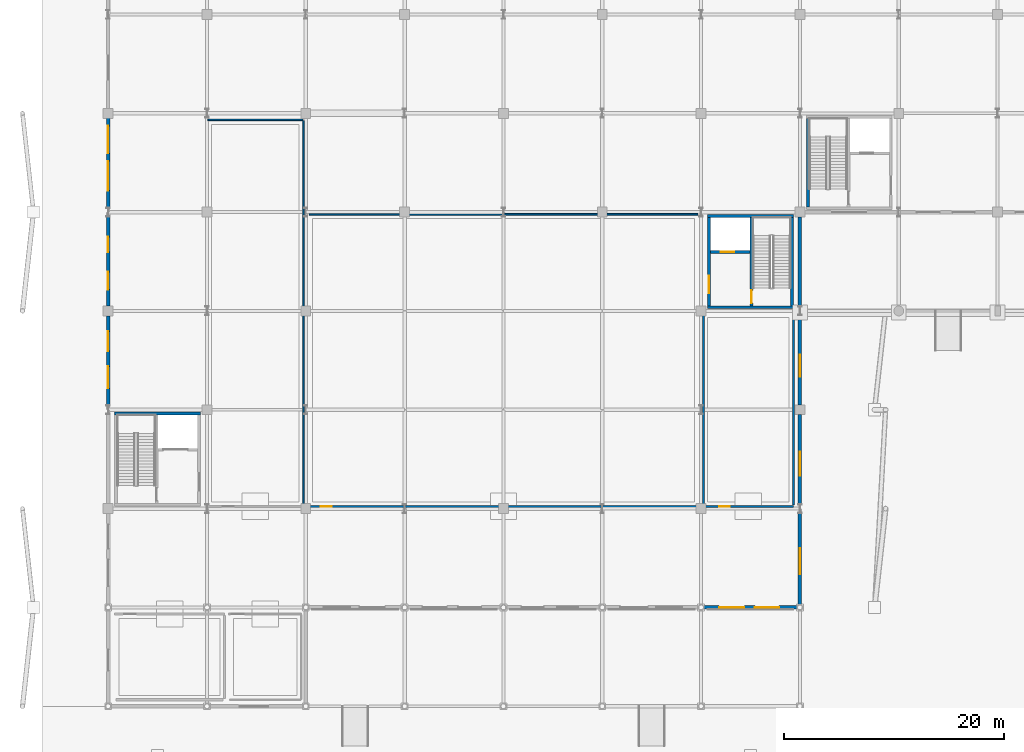
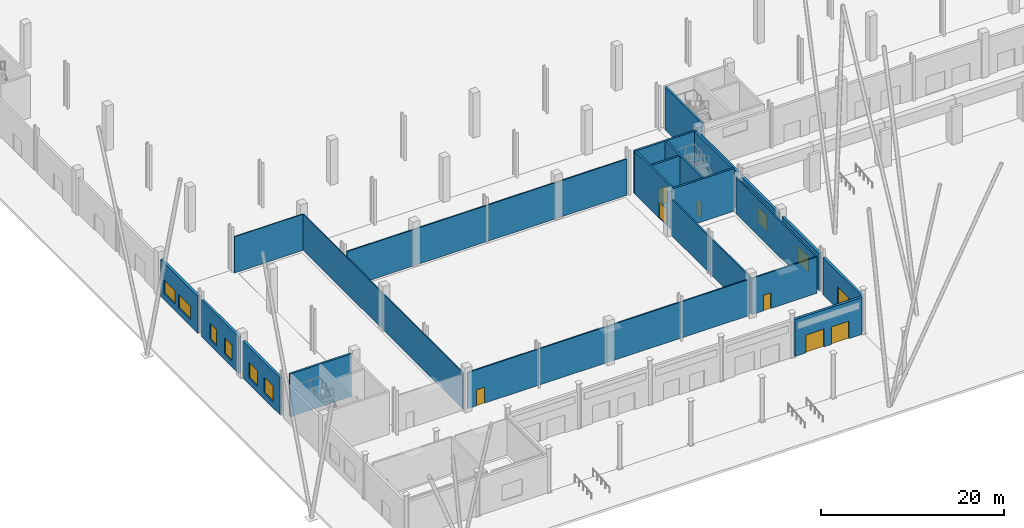
# One storey, part 30 of 58: 23 walls, 9 windows, 7 doors, 16 openings.
"""IFC4 building model written with IfcOpenShell, lengths in metres."""

from ifc_helpers import new_model, si_unit, direction, frame, frame_2d, origin, place, context, subcontext, project, spatial, rectangle, extrude, material, layer, layer_set, type_object, element, fill, save


model = new_model("IFC4")

# Units and contexts
model_context = context("Model", 3, precision=1e-05, world=origin(), true_north=direction((0.0, 1.0)))
body_context = subcontext(model_context, "Body", "Model", "MODEL_VIEW")
ifc_project = project(units=[si_unit("LENGTHUNIT", "METRE"), si_unit("AREAUNIT", "SQUARE_METRE"), si_unit("VOLUMEUNIT", "CUBIC_METRE"), si_unit("PLANEANGLEUNIT", "RADIAN"), si_unit("MASSUNIT", "GRAM", prefix="KILO")], contexts=[model_context])

# Site, building, storey
site_placement = place(None, origin())
site = spatial("IfcSite", under=ifc_project, at=site_placement, CompositionType="ELEMENT")
building_placement = place(site_placement, origin())
building = spatial("IfcBuilding", under=site, at=building_placement, Name="Barlavento Convention Centre", CompositionType="ELEMENT")
storey_placement = place(building_placement, origin())
storey = spatial("IfcBuildingStorey", under=building, at=storey_placement, Name="L00", CompositionType="ELEMENT", Elevation=0.0)

# Wall, opening, door
ifc_material_1 = material(Name="Acoustic double stud and gypsum board")
ifc_layer_1 = layer(ifc_material_1, 0.18505859375)
ifc_layer_set_1 = layer_set([ifc_layer_1], Name="ARC-WL-ACOU-185")
wall_type_1 = type_object("IfcWallType", Name="ARC-WL-ACOU-185", PredefinedType="PARTITIONING", material=ifc_layer_set_1)
wall_1_placement = place(storey_placement, frame((54.199951171875, 18.199951171875, 0.0), z_axis=(0.0, 0.0, 1.0), x_axis=(1.0, 0.0, 0.0)))
wall_1 = element("IfcWall", 1, at=wall_1_placement, inside=storey, type_object=wall_type_1, Name="L00 interior wall PT-01", PredefinedType="PARTITIONING", context=body_context, shape_type="SweptSolid", body=[
    extrude(rectangle(XDim=8.199951171875, YDim=0.18505859375, at=frame_2d((4.10009765625, 0.0))), origin(), (0.0, 0.0, 1.0), 4.85009765625),
])
opening_1_placement = place(wall_1_placement, frame((1.449951171875, 0.0, 0.0)))
opening_1 = element("IfcOpeningElement", 2, at=opening_1_placement, cuts=wall_1, Name="Opening ID-09", PredefinedType="OPENING", context=body_context, shape_type="SweptSolid", body=[
    extrude(rectangle(XDim=0.93994140625, YDim=2.10009765625, at=frame_2d((0.469970703125, 1.050048828125))), frame((0.0, 0.1025390625, 0.0), z_axis=(0.0, -1.0, 0.0), x_axis=(1.0, 0.0, 0.0)), (0.0, 0.0, 1.0), 0.205078125),
])
ifc_material_2 = material(Name="Timber veneer acoustic core", Category="wood")
door_type_1 = type_object("IfcDoorType", Name="ARC-DR-ROOM-940X2100", OperationType="NOTDEFINED", PredefinedType="DOOR", material=ifc_material_2)
door_1_placement = place(opening_1_placement, origin())
door_1 = element("IfcDoor", 3, at=door_1_placement, inside=storey, type_object=door_type_1, Name="DR-INT-L00-0215 L00 interior door ID-09", OperationType="SINGLE_SWING_RIGHT", OverallHeight=2.10009765625, OverallWidth=0.93994140625, PredefinedType="DOOR", context=body_context, shape_type="SweptSolid", body=[
    extrude(rectangle(XDim=0.93994140625, YDim=2.10009765625, at=frame_2d((0.469970703125, 1.050048828125))), frame((0.0, 0.02490234375, 0.0), z_axis=(0.0, -1.0, 0.0), x_axis=(1.0, 0.0, 0.0)), (0.0, 0.0, 1.0), 0.050048828125),
])
fill(opening_1, door_1)

# Walls
for number, where, z_axis, x_axis, name in (
    (4, (54.199951171875, 18.31103515625, 0.0), (0.0, 0.0, 1.0), (0.0, 1.0, 0.0), "L00 interior wall PT-01"),
    (5, (62.39990234375, 18.31103515625, 0.0), (0.0, 0.0, 1.0), (0.0, 1.0, 0.0), "L00 interior wall PT-01"),
):
    element("IfcWall", number, at=place(storey_placement, frame(where, z_axis=z_axis, x_axis=x_axis)), inside=storey, type_object=wall_type_1, Name=name, PredefinedType="PARTITIONING", context=body_context, shape_type="SweptSolid", body=[
        extrude(rectangle(XDim=17.3779296875, YDim=0.18505859375, at=frame_2d((8.68896484375, 0.0))), origin(), (0.0, 0.0, 1.0), 4.85009765625),
    ])

# Wall, openings, doors
ifc_material_3 = material(Name="Macau dark grey granite cladding on Concrete C40/50", Category="masonry")
ifc_layer_2 = layer(ifc_material_3, 0.320068359375)
ifc_layer_set_2 = layer_set([ifc_layer_2], Name="ARC-WL-EXT-320")
wall_type_2 = type_object("IfcWallType", Name="ARC-WL-EXT-320", PredefinedType="SOLIDWALL", material=ifc_layer_set_2)
wall_2_placement = place(storey_placement, frame((54.2490234375, 9.0, 0.0), z_axis=(0.0, 0.0, 1.0), x_axis=(1.0, 0.0, 0.0)))
wall_2 = element("IfcWall", 6, at=wall_2_placement, inside=storey, type_object=wall_type_2, Name="L00 exterior wall EW01", PredefinedType="SOLIDWALL", context=body_context, shape_type="SweptSolid", body=[
    extrude(rectangle(XDim=8.501953125, YDim=0.320068359375, at=frame_2d((4.2509765625, 0.0))), origin(), (0.0, 0.0, 1.0), 4.949951171875),
])
opening_2_placement = place(wall_2_placement, frame((1.40087890625, 0.0, 0.0)))
opening_2 = element("IfcOpeningElement", 7, at=opening_2_placement, cuts=wall_2, Name="Opening EX-09", PredefinedType="OPENING", context=body_context, shape_type="SweptSolid", body=[
    extrude(rectangle(XDim=2.300048828125, YDim=2.39990234375, at=frame_2d((1.14990234375, 1.199951171875))), frame((0.0, 0.169921875, 0.0), z_axis=(0.0, -1.0, 0.0), x_axis=(1.0, 0.0, 0.0)), (0.0, 0.0, 1.0), 0.340087890625),
])
opening_3_placement = place(wall_2_placement, frame((4.65087890625, 0.0, 0.0)))
opening_3 = element("IfcOpeningElement", 8, at=opening_3_placement, cuts=wall_2, Name="Opening EX-10", PredefinedType="OPENING", context=body_context, shape_type="SweptSolid", body=[
    extrude(rectangle(XDim=2.199951171875, YDim=2.35009765625, at=frame_2d((1.10009765625, 1.175048828125))), frame((0.0, 0.169921875, 0.0), z_axis=(0.0, -1.0, 0.0), x_axis=(1.0, 0.0, 0.0)), (0.0, 0.0, 1.0), 0.340087890625),
])
ifc_material_4 = material(Name="Anodized aluminium and tempered glass", Category="aluminium")
door_type_2 = type_object("IfcDoorType", Name="ARC-DR-EXIT-2200X2350", OperationType="DOUBLE_DOOR_SINGLE_SWING", PredefinedType="DOOR", material=ifc_material_4)
door_2_placement = place(opening_3_placement, origin())
door_2 = element("IfcDoor", 9, at=door_2_placement, inside=storey, type_object=door_type_2, Name="DR-EXT-L00-0010 Main entrance exit door EX-10", OperationType="DOUBLE_DOOR_SINGLE_SWING", OverallHeight=2.35009765625, OverallWidth=2.199951171875, PredefinedType="DOOR", context=body_context, shape_type="SweptSolid", body=[
    extrude(rectangle(XDim=2.199951171875, YDim=2.35009765625, at=frame_2d((1.10009765625, 1.175048828125))), frame((0.0, 0.02490234375, 0.0), z_axis=(0.0, -1.0, 0.0), x_axis=(1.0, 0.0, 0.0)), (0.0, 0.0, 1.0), 0.050048828125),
])
fill(opening_3, door_2)
door_type_3 = type_object("IfcDoorType", Name="ARC-DR-EXIT-2300X2400", OperationType="DOUBLE_DOOR_SINGLE_SWING", PredefinedType="DOOR", material=ifc_material_4)
door_3_placement = place(opening_2_placement, origin())
door_3 = element("IfcDoor", 10, at=door_3_placement, inside=storey, type_object=door_type_3, Name="DR-EXT-L00-0009 Main entrance exit door EX-09", OperationType="DOUBLE_DOOR_SINGLE_SWING", OverallHeight=2.39990234375, OverallWidth=2.300048828125, PredefinedType="DOOR", context=body_context, shape_type="SweptSolid", body=[
    extrude(rectangle(XDim=2.300048828125, YDim=2.39990234375, at=frame_2d((1.14990234375, 1.199951171875))), frame((0.0, 0.02490234375, 0.0), z_axis=(0.0, -1.0, 0.0), x_axis=(1.0, 0.0, 0.0)), (0.0, 0.0, 1.0), 0.050048828125),
])
fill(opening_2, door_3)

# Wall, opening, window
wall_3_placement = place(storey_placement, frame((63.0, 9.2490234375, 0.0), z_axis=(0.0, 0.0, 1.0), x_axis=(0.0, 1.0, 0.0)))
wall_3 = element("IfcWall", 11, at=wall_3_placement, inside=storey, type_object=wall_type_2, Name="L00 exterior wall EW01", PredefinedType="SOLIDWALL", context=body_context, shape_type="SweptSolid", body=[
    extrude(rectangle(XDim=8.348876953125, YDim=0.320068359375, at=frame_2d((4.17431640625, 0.0))), origin(), (0.0, 0.0, 1.0), 4.949951171875),
])
opening_4_placement = place(wall_3_placement, frame((2.7509765625, 0.0, 0.85009765625)))
opening_4 = element("IfcOpeningElement", 12, at=opening_4_placement, cuts=wall_3, Name="Opening WN03", PredefinedType="OPENING", context=body_context, shape_type="SweptSolid", body=[
    extrude(rectangle(XDim=2.39990234375, YDim=2.10009765625, at=frame_2d((1.199951171875, 1.050048828125))), frame((0.0, 0.169921875, 0.0), z_axis=(0.0, -1.0, 0.0), x_axis=(1.0, 0.0, 0.0)), (0.0, 0.0, 1.0), 0.340087890625),
])
ifc_material_5 = material(Name="Double-silver Low-E insulated glass", Category="glass")
window_type_1 = type_object("IfcWindowType", Name="ARC-WN-VIS-2400X2100", PartitioningType="DOUBLE_PANEL_VERTICAL", PredefinedType="WINDOW", material=ifc_material_5)
window_1_placement = place(opening_4_placement, origin())
window_1 = element("IfcWindow", 13, at=window_1_placement, inside=storey, type_object=window_type_1, Name="L00 exterior Low-E window WN03", OverallHeight=2.10009765625, OverallWidth=2.39990234375, PartitioningType="SINGLE_PANEL", PredefinedType="WINDOW", context=body_context, shape_type="SweptSolid", body=[
    extrude(rectangle(XDim=2.39990234375, YDim=2.10009765625, at=frame_2d((1.199951171875, 1.050048828125))), frame((0.0, 0.030029296875, 0.0), z_axis=(0.0, -1.0, 0.0), x_axis=(1.0, 0.0, 0.0)), (0.0, 0.0, 1.0), 0.06005859375),
])
fill(opening_4, window_1)

wall_4_placement = place(storey_placement, frame((63.0, 18.402099609375, 0.0), z_axis=(0.0, 0.0, 1.0), x_axis=(0.0, 1.0, 0.0)))
wall_4 = element("IfcWall", 14, at=wall_4_placement, inside=storey, type_object=wall_type_2, Name="L00 exterior wall EW01", PredefinedType="SOLIDWALL", context=body_context, shape_type="SweptSolid", body=[
    extrude(rectangle(XDim=8.15283203125, YDim=0.320068359375, at=frame_2d((4.076416015625, 0.0))), origin(), (0.0, 0.0, 1.0), 4.949951171875),
])
opening_5_placement = place(wall_4_placement, frame((2.597900390625, 0.0, 0.85009765625)))
opening_5 = element("IfcOpeningElement", 15, at=opening_5_placement, cuts=wall_4, Name="Opening WN04", PredefinedType="OPENING", context=body_context, shape_type="SweptSolid", body=[
    extrude(rectangle(XDim=2.199951171875, YDim=2.10009765625, at=frame_2d((1.10009765625, 1.050048828125))), frame((0.0, 0.169921875, 0.0), z_axis=(0.0, -1.0, 0.0), x_axis=(1.0, 0.0, 0.0)), (0.0, 0.0, 1.0), 0.340087890625),
])
window_type_2 = type_object("IfcWindowType", Name="ARC-WN-VIS-2200X2100", PartitioningType="DOUBLE_PANEL_VERTICAL", PredefinedType="WINDOW", material=ifc_material_5)
window_2_placement = place(opening_5_placement, origin())
window_2 = element("IfcWindow", 16, at=window_2_placement, inside=storey, type_object=window_type_2, Name="L00 exterior Low-E window WN04", OverallHeight=2.10009765625, OverallWidth=2.199951171875, PartitioningType="SINGLE_PANEL", PredefinedType="WINDOW", context=body_context, shape_type="SweptSolid", body=[
    extrude(rectangle(XDim=2.199951171875, YDim=2.10009765625, at=frame_2d((1.10009765625, 1.050048828125))), frame((0.0, 0.030029296875, 0.0), z_axis=(0.0, -1.0, 0.0), x_axis=(1.0, 0.0, 0.0)), (0.0, 0.0, 1.0), 0.06005859375),
])
fill(opening_5, window_2)

wall_5_placement = place(storey_placement, frame((63.0, 27.445068359375, 0.0), z_axis=(0.0, 0.0, 1.0), x_axis=(0.0, 1.0, 0.0)))
wall_5 = element("IfcWall", 17, at=wall_5_placement, inside=storey, type_object=wall_type_2, Name="L00 exterior wall EW01", PredefinedType="SOLIDWALL", context=body_context, shape_type="SweptSolid", body=[
    extrude(rectangle(XDim=8.15283203125, YDim=0.320068359375, at=frame_2d((4.076416015625, 0.0))), origin(), (0.0, 0.0, 1.0), 4.949951171875),
])
opening_6_placement = place(wall_5_placement, frame((2.554931640625, 0.0, 0.85009765625)))
opening_6 = element("IfcOpeningElement", 18, at=opening_6_placement, cuts=wall_5, Name="Opening WN05", PredefinedType="OPENING", context=body_context, shape_type="SweptSolid", body=[
    extrude(rectangle(XDim=2.0, YDim=2.10009765625, at=frame_2d((1.0, 1.050048828125))), frame((0.0, 0.169921875, 0.0), z_axis=(0.0, -1.0, 0.0), x_axis=(1.0, 0.0, 0.0)), (0.0, 0.0, 1.0), 0.340087890625),
])
window_type_3 = type_object("IfcWindowType", Name="ARC-WN-VIS-2000X2100", PartitioningType="DOUBLE_PANEL_VERTICAL", PredefinedType="WINDOW", material=ifc_material_5)
window_3_placement = place(opening_6_placement, origin())
window_3 = element("IfcWindow", 19, at=window_3_placement, inside=storey, type_object=window_type_3, Name="L00 exterior Low-E window WN05", OverallHeight=2.10009765625, OverallWidth=2.0, PartitioningType="SINGLE_PANEL", PredefinedType="WINDOW", context=body_context, shape_type="SweptSolid", body=[
    extrude(rectangle(XDim=2.0, YDim=2.10009765625, at=frame_2d((1.0, 1.050048828125))), frame((0.0, 0.030029296875, 0.0), z_axis=(0.0, -1.0, 0.0), x_axis=(1.0, 0.0, 0.0)), (0.0, 0.0, 1.0), 0.06005859375),
])
fill(opening_6, window_3)

# Wall
wall_6_placement = place(storey_placement, frame((63.0, 36.402099609375, 0.0), z_axis=(0.0, 0.0, 1.0), x_axis=(0.0, 1.0, 0.0)))
element("IfcWall", 20, at=wall_6_placement, inside=storey, type_object=wall_type_2, Name="L00 exterior wall EW01", PredefinedType="SOLIDWALL", context=body_context, shape_type="SweptSolid", body=[
    extrude(rectangle(XDim=8.15283203125, YDim=0.320068359375, at=frame_2d((4.076416015625, 0.0))), origin(), (0.0, 0.0, 1.0), 4.949951171875),
])

# Wall, openings, windows
wall_7_placement = place(storey_placement, frame((0.0, 27.402099609375, 0.0), z_axis=(0.0, 0.0, 1.0), x_axis=(0.0, 1.0, 0.0)))
wall_7 = element("IfcWall", 21, at=wall_7_placement, inside=storey, type_object=wall_type_2, Name="L00 exterior wall EW01", PredefinedType="SOLIDWALL", context=body_context, shape_type="SweptSolid", body=[
    extrude(rectangle(XDim=8.15283203125, YDim=0.320068359375, at=frame_2d((4.076416015625, 0.0))), origin(), (0.0, 0.0, 1.0), 4.949951171875),
])
opening_7_placement = place(wall_7_placement, frame((1.548095703125, 0.0, 0.85009765625)))
opening_7 = element("IfcOpeningElement", 22, at=opening_7_placement, cuts=wall_7, Name="Opening WN05", PredefinedType="OPENING", context=body_context, shape_type="SweptSolid", body=[
    extrude(rectangle(XDim=2.0, YDim=2.10009765625, at=frame_2d((1.0, 1.050048828125))), frame((0.0, 0.169921875, 0.0), z_axis=(0.0, -1.0, 0.0), x_axis=(1.0, 0.0, 0.0)), (0.0, 0.0, 1.0), 0.340087890625),
])
opening_8_placement = place(wall_7_placement, frame((4.947998046875, 0.0, 0.85009765625)))
opening_8 = element("IfcOpeningElement", 23, at=opening_8_placement, cuts=wall_7, Name="Opening WN06", PredefinedType="OPENING", context=body_context, shape_type="SweptSolid", body=[
    extrude(rectangle(XDim=1.800048828125, YDim=2.10009765625, at=frame_2d((0.89990234375, 1.050048828125))), frame((0.0, 0.169921875, 0.0), z_axis=(0.0, -1.0, 0.0), x_axis=(1.0, 0.0, 0.0)), (0.0, 0.0, 1.0), 0.340087890625),
])
window_type_4 = type_object("IfcWindowType", Name="ARC-WN-VIS-1800X2100", PartitioningType="DOUBLE_PANEL_VERTICAL", PredefinedType="WINDOW", material=ifc_material_5)
window_4_placement = place(opening_8_placement, origin())
window_4 = element("IfcWindow", 24, at=window_4_placement, inside=storey, type_object=window_type_4, Name="L00 exterior Low-E window WN06", OverallHeight=2.10009765625, OverallWidth=1.800048828125, PartitioningType="SINGLE_PANEL", PredefinedType="WINDOW", context=body_context, shape_type="SweptSolid", body=[
    extrude(rectangle(XDim=1.800048828125, YDim=2.10009765625, at=frame_2d((0.89990234375, 1.050048828125))), frame((0.0, 0.030029296875, 0.0), z_axis=(0.0, -1.0, 0.0), x_axis=(1.0, 0.0, 0.0)), (0.0, 0.0, 1.0), 0.06005859375),
])
fill(opening_8, window_4)
window_5_placement = place(opening_7_placement, origin())
window_5 = element("IfcWindow", 25, at=window_5_placement, inside=storey, type_object=window_type_3, Name="L00 exterior Low-E window WN05", OverallHeight=2.10009765625, OverallWidth=2.0, PartitioningType="SINGLE_PANEL", PredefinedType="WINDOW", context=body_context, shape_type="SweptSolid", body=[
    extrude(rectangle(XDim=2.0, YDim=2.10009765625, at=frame_2d((1.0, 1.050048828125))), frame((0.0, 0.030029296875, 0.0), z_axis=(0.0, -1.0, 0.0), x_axis=(1.0, 0.0, 0.0)), (0.0, 0.0, 1.0), 0.06005859375),
])
fill(opening_7, window_5)

wall_8_placement = place(storey_placement, frame((0.0, 36.445068359375, 0.0), z_axis=(0.0, 0.0, 1.0), x_axis=(0.0, 1.0, 0.0)))
wall_8 = element("IfcWall", 26, at=wall_8_placement, inside=storey, type_object=wall_type_2, Name="L00 exterior wall EW01", PredefinedType="SOLIDWALL", context=body_context, shape_type="SweptSolid", body=[
    extrude(rectangle(XDim=8.15283203125, YDim=0.320068359375, at=frame_2d((4.076416015625, 0.0))), origin(), (0.0, 0.0, 1.0), 4.949951171875),
])
opening_9_placement = place(wall_8_placement, frame((1.5048828125, 0.0, 0.85009765625)))
opening_9 = element("IfcOpeningElement", 27, at=opening_9_placement, cuts=wall_8, Name="Opening WN07", PredefinedType="OPENING", context=body_context, shape_type="SweptSolid", body=[
    extrude(rectangle(XDim=1.60009765625, YDim=2.10009765625, at=frame_2d((0.800048828125, 1.050048828125))), frame((0.0, 0.169921875, 0.0), z_axis=(0.0, -1.0, 0.0), x_axis=(1.0, 0.0, 0.0)), (0.0, 0.0, 1.0), 0.340087890625),
])
opening_10_placement = place(wall_8_placement, frame((4.905029296875, 0.0, 0.85009765625)))
opening_10 = element("IfcOpeningElement", 28, at=opening_10_placement, cuts=wall_8, Name="Opening WN08", PredefinedType="OPENING", context=body_context, shape_type="SweptSolid", body=[
    extrude(rectangle(XDim=1.39990234375, YDim=2.10009765625, at=frame_2d((0.699951171875, 1.050048828125))), frame((0.0, 0.169921875, 0.0), z_axis=(0.0, -1.0, 0.0), x_axis=(1.0, 0.0, 0.0)), (0.0, 0.0, 1.0), 0.340087890625),
])
window_type_5 = type_object("IfcWindowType", Name="ARC-WN-VIS-1400X2100", PartitioningType="SINGLE_PANEL", PredefinedType="WINDOW", material=ifc_material_5)
window_6_placement = place(opening_10_placement, origin())
window_6 = element("IfcWindow", 29, at=window_6_placement, inside=storey, type_object=window_type_5, Name="L00 exterior Low-E window WN08", OverallHeight=2.10009765625, OverallWidth=1.39990234375, PartitioningType="SINGLE_PANEL", PredefinedType="WINDOW", context=body_context, shape_type="SweptSolid", body=[
    extrude(rectangle(XDim=1.39990234375, YDim=2.10009765625, at=frame_2d((0.699951171875, 1.050048828125))), frame((0.0, 0.030029296875, 0.0), z_axis=(0.0, -1.0, 0.0), x_axis=(1.0, 0.0, 0.0)), (0.0, 0.0, 1.0), 0.06005859375),
])
fill(opening_10, window_6)
window_type_6 = type_object("IfcWindowType", Name="ARC-WN-VIS-1600X2100", PartitioningType="SINGLE_PANEL", PredefinedType="WINDOW", material=ifc_material_5)
window_7_placement = place(opening_9_placement, origin())
window_7 = element("IfcWindow", 30, at=window_7_placement, inside=storey, type_object=window_type_6, Name="L00 exterior Low-E window WN07", OverallHeight=2.10009765625, OverallWidth=1.60009765625, PartitioningType="SINGLE_PANEL", PredefinedType="WINDOW", context=body_context, shape_type="SweptSolid", body=[
    extrude(rectangle(XDim=1.60009765625, YDim=2.10009765625, at=frame_2d((0.800048828125, 1.050048828125))), frame((0.0, 0.030029296875, 0.0), z_axis=(0.0, -1.0, 0.0), x_axis=(1.0, 0.0, 0.0)), (0.0, 0.0, 1.0), 0.06005859375),
])
fill(opening_9, window_7)

wall_9_placement = place(storey_placement, frame((0.0, 45.402099609375, 0.0), z_axis=(0.0, 0.0, 1.0), x_axis=(0.0, 1.0, 0.0)))
wall_9 = element("IfcWall", 31, at=wall_9_placement, inside=storey, type_object=wall_type_2, Name="L00 exterior wall EW01", PredefinedType="SOLIDWALL", context=body_context, shape_type="SweptSolid", body=[
    extrude(rectangle(XDim=8.15283203125, YDim=0.320068359375, at=frame_2d((4.076416015625, 0.0))), origin(), (0.0, 0.0, 1.0), 4.949951171875),
])
opening_11_placement = place(wall_9_placement, frame((1.548095703125, 0.0, 0.85009765625)))
opening_11 = element("IfcOpeningElement", 32, at=opening_11_placement, cuts=wall_9, Name="Opening WN09", PredefinedType="OPENING", context=body_context, shape_type="SweptSolid", body=[
    extrude(rectangle(XDim=2.699951171875, YDim=1.800048828125, at=frame_2d((1.35009765625, 0.89990234375))), frame((0.0, 0.169921875, 0.0), z_axis=(0.0, -1.0, 0.0), x_axis=(1.0, 0.0, 0.0)), (0.0, 0.0, 1.0), 0.340087890625),
])
opening_12_placement = place(wall_9_placement, frame((4.947998046875, 0.0, 0.85009765625)))
opening_12 = element("IfcOpeningElement", 33, at=opening_12_placement, cuts=wall_9, Name="Opening WN10", PredefinedType="OPENING", context=body_context, shape_type="SweptSolid", body=[
    extrude(rectangle(XDim=2.5, YDim=1.800048828125, at=frame_2d((1.25, 0.89990234375))), frame((0.0, 0.169921875, 0.0), z_axis=(0.0, -1.0, 0.0), x_axis=(1.0, 0.0, 0.0)), (0.0, 0.0, 1.0), 0.340087890625),
])
window_type_7 = type_object("IfcWindowType", Name="ARC-WN-VIS-2500X1800", PartitioningType="DOUBLE_PANEL_VERTICAL", PredefinedType="WINDOW", material=ifc_material_5)
window_8_placement = place(opening_12_placement, origin())
window_8 = element("IfcWindow", 34, at=window_8_placement, inside=storey, type_object=window_type_7, Name="L00 exterior Low-E window WN10", OverallHeight=1.800048828125, OverallWidth=2.5, PartitioningType="SINGLE_PANEL", PredefinedType="WINDOW", context=body_context, shape_type="SweptSolid", body=[
    extrude(rectangle(XDim=2.5, YDim=1.800048828125, at=frame_2d((1.25, 0.89990234375))), frame((0.0, 0.030029296875, 0.0), z_axis=(0.0, -1.0, 0.0), x_axis=(1.0, 0.0, 0.0)), (0.0, 0.0, 1.0), 0.06005859375),
])
fill(opening_12, window_8)
window_type_8 = type_object("IfcWindowType", Name="ARC-WN-VIS-2700X1800", PartitioningType="TRIPLE_PANEL_VERTICAL", PredefinedType="WINDOW", material=ifc_material_5)
window_9_placement = place(opening_11_placement, origin())
window_9 = element("IfcWindow", 35, at=window_9_placement, inside=storey, type_object=window_type_8, Name="L00 exterior Low-E window WN09", OverallHeight=1.800048828125, OverallWidth=2.699951171875, PartitioningType="SINGLE_PANEL", PredefinedType="WINDOW", context=body_context, shape_type="SweptSolid", body=[
    extrude(rectangle(XDim=2.699951171875, YDim=1.800048828125, at=frame_2d((1.35009765625, 0.89990234375))), frame((0.0, 0.030029296875, 0.0), z_axis=(0.0, -1.0, 0.0), x_axis=(1.0, 0.0, 0.0)), (0.0, 0.0, 1.0), 0.06005859375),
])
fill(opening_11, window_9)

# Walls
ifc_material_6 = material(Name="Lightweight gypsum partition")
ifc_layer_3 = layer(ifc_material_6, 0.125)
ifc_layer_set_3 = layer_set([ifc_layer_3], Name="ARC-WL-PART-125")
wall_type_3 = type_object("IfcWallType", Name="ARC-WL-PART-125", PredefinedType="PARTITIONING", material=ifc_layer_set_3)
wall_10_placement = place(storey_placement, frame((9.074951171875, 53.39990234375, 0.0), z_axis=(0.0, 0.0, 1.0), x_axis=(1.0, 0.0, 0.0)))
element("IfcWall", 36, at=wall_10_placement, inside=storey, type_object=wall_type_3, Name="L00 interior wall PT-05", PredefinedType="PARTITIONING", context=body_context, shape_type="SweptSolid", body=[
    extrude(rectangle(XDim=8.650146484375, YDim=0.125, at=frame_2d((4.3251953125, 0.0))), origin(), (0.0, 0.0, 1.0), 4.85009765625),
])
wall_11_placement = place(storey_placement, frame((17.800048828125, 18.27490234375, 0.0), z_axis=(0.0, 0.0, 1.0), x_axis=(0.0, 1.0, 0.0)))
element("IfcWall", 37, at=wall_11_placement, inside=storey, type_object=wall_type_3, Name="L00 interior wall PT-05", PredefinedType="PARTITIONING", context=body_context, shape_type="SweptSolid", body=[
    extrude(rectangle(XDim=35.050048828125, YDim=0.125, at=frame_2d((17.52490234375, 0.0))), origin(), (0.0, 0.0, 1.0), 4.85009765625),
])

# Wall, opening, door
ifc_material_7 = material(Name="Metal stud acoustic partition")
ifc_layer_4 = layer(ifc_material_7, 0.155029296875)
ifc_layer_set_4 = layer_set([ifc_layer_4], Name="ARC-WL-PART-155")
wall_type_4 = type_object("IfcWallType", Name="ARC-WL-PART-155", PredefinedType="PARTITIONING", material=ifc_layer_set_4)
wall_12_placement = place(storey_placement, frame((18.199951171875, 18.199951171875, 0.0), z_axis=(0.0, 0.0, 1.0), x_axis=(1.0, 0.0, 0.0)))
wall_12 = element("IfcWall", 38, at=wall_12_placement, inside=storey, type_object=wall_type_4, Name="L00 interior wall PT-03", PredefinedType="PARTITIONING", context=body_context, shape_type="SweptSolid", body=[
    extrude(rectangle(XDim=35.60009765625, YDim=0.155029296875, at=frame_2d((17.800048828125, 0.0))), origin(), (0.0, 0.0, 1.0), 4.85009765625),
])
opening_13_placement = place(wall_12_placement, frame((1.14990234375, 0.0, 0.0)))
opening_13 = element("IfcOpeningElement", 39, at=opening_13_placement, cuts=wall_12, Name="Opening ID-07", PredefinedType="OPENING", context=body_context, shape_type="SweptSolid", body=[
    extrude(rectangle(XDim=1.02001953125, YDim=2.14990234375, at=frame_2d((0.510009765625, 1.074951171875))), frame((0.0, 0.08740234375, 0.0), z_axis=(0.0, -1.0, 0.0), x_axis=(1.0, 0.0, 0.0)), (0.0, 0.0, 1.0), 0.175048828125),
])
door_type_4 = type_object("IfcDoorType", Name="ARC-DR-ROOM-1020X2150", OperationType="NOTDEFINED", PredefinedType="DOOR", material=ifc_material_2)
door_4_placement = place(opening_13_placement, origin())
door_4 = element("IfcDoor", 40, at=door_4_placement, inside=storey, type_object=door_type_4, Name="DR-INT-L00-0213 L00 interior door ID-07", OperationType="SINGLE_SWING_RIGHT", OverallHeight=2.14990234375, OverallWidth=1.02001953125, PredefinedType="DOOR", context=body_context, shape_type="SweptSolid", body=[
    extrude(rectangle(XDim=1.02001953125, YDim=2.14990234375, at=frame_2d((0.510009765625, 1.074951171875))), frame((0.0, 0.02490234375, 0.0), z_axis=(0.0, -1.0, 0.0), x_axis=(1.0, 0.0, 0.0)), (0.0, 0.0, 1.0), 0.050048828125),
])
fill(opening_13, door_4)

# Walls
wall_13_placement = place(storey_placement, frame((18.29296875, 44.800048828125, 0.0), z_axis=(0.0, 0.0, 1.0), x_axis=(1.0, 0.0, 0.0)))
element("IfcWall", 41, at=wall_13_placement, inside=storey, type_object=wall_type_4, Name="L00 interior wall PT-03", PredefinedType="PARTITIONING", context=body_context, shape_type="SweptSolid", body=[
    extrude(rectangle(XDim=35.4140625, YDim=0.155029296875, at=frame_2d((17.70703125, 0.0))), origin(), (0.0, 0.0, 1.0), 4.85009765625),
])
ifc_material_8 = material(Name="Concrete C50/60", Category="concrete")
ifc_layer_5 = layer(ifc_material_8, 0.25)
ifc_layer_set_5 = layer_set([ifc_layer_5], Name="STR-WL-CORE-250")
wall_type_5 = type_object("IfcWallType", Name="STR-WL-CORE-250", PredefinedType="SHEAR", material=ifc_layer_set_5)
wall_14_placement = place(storey_placement, frame((0.60009765625, 26.655029296875, 0.0), z_axis=(0.0, 0.0, 1.0), x_axis=(1.0, 0.0, 0.0)))
element("IfcWall", 42, at=wall_14_placement, inside=storey, type_object=wall_type_5, Name="L00 interior wall CW-02", PredefinedType="SHEAR", context=body_context, shape_type="SweptSolid", body=[
    extrude(rectangle(XDim=7.7998046875, YDim=0.25, at=frame_2d((3.89990234375, 0.0))), origin(), (0.0, 0.0, 1.0), 5.699951171875),
])

# Wall, opening, door
wall_15_placement = place(storey_placement, frame((54.72509765625, 36.469970703125, 0.0), z_axis=(0.0, 0.0, 1.0), x_axis=(0.0, 1.0, 0.0)))
wall_15 = element("IfcWall", 43, at=wall_15_placement, inside=storey, type_object=wall_type_5, Name="L00 interior wall CW-02", PredefinedType="SHEAR", context=body_context, shape_type="SweptSolid", body=[
    extrude(rectangle(XDim=8.06005859375, YDim=0.25, at=frame_2d((4.030029296875, 0.0))), origin(), (0.0, 0.0, 1.0), 5.699951171875),
])
opening_14_placement = place(wall_15_placement, frame((1.14990234375, 0.0, 0.0)))
opening_14 = element("IfcOpeningElement", 44, at=opening_14_placement, cuts=wall_15, Name="Opening FD-02", PredefinedType="OPENING", context=body_context, shape_type="SweptSolid", body=[
    extrude(rectangle(XDim=1.60009765625, YDim=2.199951171875, at=frame_2d((0.800048828125, 1.10009765625))), frame((0.0, 0.135009765625, 0.0), z_axis=(0.0, -1.0, 0.0), x_axis=(1.0, 0.0, 0.0)), (0.0, 0.0, 1.0), 0.27001953125),
])
ifc_material_9 = material(Name="Painted galvanized steel", Category="steel")
door_type_5 = type_object("IfcDoorType", Name="ARC-DR-FIRE-1600X2200", OperationType="DOUBLE_DOOR_SINGLE_SWING", PredefinedType="DOOR", material=ifc_material_9)
door_5_placement = place(opening_14_placement, origin())
door_5 = element("IfcDoor", 45, at=door_5_placement, inside=storey, type_object=door_type_5, Name="DR-INT-L00-0018 L00 LP1 lobby fire door", OperationType="DOUBLE_DOOR_SINGLE_SWING", OverallHeight=2.199951171875, OverallWidth=1.60009765625, PredefinedType="DOOR", context=body_context, shape_type="SweptSolid", body=[
    extrude(rectangle(XDim=1.60009765625, YDim=2.199951171875, at=frame_2d((0.800048828125, 1.10009765625))), frame((0.0, 0.02490234375, 0.0), z_axis=(0.0, -1.0, 0.0), x_axis=(1.0, 0.0, 0.0)), (0.0, 0.0, 1.0), 0.050048828125),
])
fill(opening_14, door_5)

# Walls
wall_16_placement = place(storey_placement, frame((62.27490234375, 36.469970703125, 0.0), z_axis=(0.0, 0.0, 1.0), x_axis=(0.0, 1.0, 0.0)))
element("IfcWall", 46, at=wall_16_placement, inside=storey, type_object=wall_type_5, Name="L00 interior wall CW-02", PredefinedType="SHEAR", context=body_context, shape_type="SweptSolid", body=[
    extrude(rectangle(XDim=8.06005859375, YDim=0.25, at=frame_2d((4.030029296875, 0.0))), origin(), (0.0, 0.0, 1.0), 5.699951171875),
])
for number, where, z_axis, x_axis, name in (
    (47, (54.60009765625, 36.344970703125, 0.0), (0.0, 0.0, 1.0), (1.0, 0.0, 0.0), "L00 interior wall CW-02"),
    (48, (54.60009765625, 44.655029296875, 0.0), (0.0, 0.0, 1.0), (1.0, 0.0, 0.0), "L00 interior wall CW-02"),
):
    element("IfcWall", number, at=place(storey_placement, frame(where, z_axis=z_axis, x_axis=x_axis)), inside=storey, type_object=wall_type_5, Name=name, PredefinedType="SHEAR", context=body_context, shape_type="SweptSolid", body=[
        extrude(rectangle(XDim=7.7998046875, YDim=0.25, at=frame_2d((3.89990234375, 0.0))), origin(), (0.0, 0.0, 1.0), 5.699951171875),
    ])

# Wall, opening, door
wall_17_placement = place(storey_placement, frame((58.5849609375, 36.469970703125, 0.0), z_axis=(0.0, 0.0, 1.0), x_axis=(0.0, 1.0, 0.0)))
wall_17 = element("IfcWall", 49, at=wall_17_placement, inside=storey, type_object=wall_type_5, Name="L00 interior wall CW-02", PredefinedType="SHEAR", context=body_context, shape_type="SweptSolid", body=[
    extrude(rectangle(XDim=8.06005859375, YDim=0.25, at=frame_2d((4.030029296875, 0.0))), origin(), (0.0, 0.0, 1.0), 5.699951171875),
])
opening_15_placement = place(wall_17_placement, frame((0.25, 0.0, 0.0)))
opening_15 = element("IfcOpeningElement", 50, at=opening_15_placement, cuts=wall_17, Name="Opening FD-03", PredefinedType="OPENING", context=body_context, shape_type="SweptSolid", body=[
    extrude(rectangle(XDim=1.14990234375, YDim=2.14990234375, at=frame_2d((0.574951171875, 1.074951171875))), frame((0.0, 0.135009765625, 0.0), z_axis=(0.0, -1.0, 0.0), x_axis=(1.0, 0.0, 0.0)), (0.0, 0.0, 1.0), 0.27001953125),
])
door_type_6 = type_object("IfcDoorType", Name="ARC-DR-FIRE-1150X2150", OperationType="NOTDEFINED", PredefinedType="DOOR", material=ifc_material_9)
door_6_placement = place(opening_15_placement, origin())
door_6 = element("IfcDoor", 51, at=door_6_placement, inside=storey, type_object=door_type_6, Name="DR-INT-L00-0016 L00 ST02 stair fire door FD-03", OperationType="SINGLE_SWING_RIGHT", OverallHeight=2.14990234375, OverallWidth=1.14990234375, PredefinedType="DOOR", context=body_context, shape_type="SweptSolid", body=[
    extrude(rectangle(XDim=1.14990234375, YDim=2.14990234375, at=frame_2d((0.574951171875, 1.074951171875))), frame((0.0, 0.02490234375, 0.0), z_axis=(0.0, -1.0, 0.0), x_axis=(1.0, 0.0, 0.0)), (0.0, 0.0, 1.0), 0.050048828125),
])
fill(opening_15, door_6)

wall_18_placement = place(storey_placement, frame((54.85009765625, 41.3701171875, 0.0), z_axis=(0.0, 0.0, 1.0), x_axis=(1.0, 0.0, 0.0)))
wall_18 = element("IfcWall", 52, at=wall_18_placement, inside=storey, type_object=wall_type_5, Name="L00 interior wall CW-02", PredefinedType="SHEAR", context=body_context, shape_type="SweptSolid", body=[
    extrude(rectangle(XDim=3.60986328125, YDim=0.25, at=frame_2d((1.804931640625, 0.0))), origin(), (0.0, 0.0, 1.0), 5.699951171875),
])
opening_16_placement = place(wall_18_placement, frame((0.949951171875, 0.0, 0.0)))
opening_16 = element("IfcOpeningElement", 53, at=opening_16_placement, cuts=wall_18, Name="Opening LD-01", PredefinedType="OPENING", context=body_context, shape_type="SweptSolid", body=[
    extrude(rectangle(XDim=1.199951171875, YDim=2.199951171875, at=frame_2d((0.60009765625, 1.10009765625))), frame((0.0, 0.135009765625, 0.0), z_axis=(0.0, -1.0, 0.0), x_axis=(1.0, 0.0, 0.0)), (0.0, 0.0, 1.0), 0.27001953125),
])
ifc_material_10 = material(Name="Brushed stainless steel", Category="steel")
door_type_7 = type_object("IfcDoorType", Name="ARC-DR-LIFT-1200X2200", OperationType="DOUBLE_DOOR_SLIDING", PredefinedType="DOOR", material=ifc_material_10)
door_7_placement = place(opening_16_placement, origin())
door_7 = element("IfcDoor", 54, at=door_7_placement, inside=storey, type_object=door_type_7, Name="DR-INT-L00-0017 LP1 lift sliding landing door", OperationType="DOUBLE_DOOR_SLIDING", OverallHeight=2.199951171875, OverallWidth=1.199951171875, PredefinedType="DOOR", context=body_context, shape_type="SweptSolid", body=[
    extrude(rectangle(XDim=1.199951171875, YDim=2.199951171875, at=frame_2d((0.60009765625, 1.10009765625))), frame((0.0, 0.02490234375, 0.0), z_axis=(0.0, -1.0, 0.0), x_axis=(1.0, 0.0, 0.0)), (0.0, 0.0, 1.0), 0.050048828125),
])
fill(opening_16, door_7)

# Wall
wall_19_placement = place(storey_placement, frame((63.72509765625, 45.469970703125, 0.0), z_axis=(0.0, 0.0, 1.0), x_axis=(0.0, 1.0, 0.0)))
element("IfcWall", 55, at=wall_19_placement, inside=storey, type_object=wall_type_5, Name="L00 interior wall CW-02", PredefinedType="SHEAR", context=body_context, shape_type="SweptSolid", body=[
    extrude(rectangle(XDim=8.06005859375, YDim=0.25, at=frame_2d((4.030029296875, 0.0))), origin(), (0.0, 0.0, 1.0), 5.7099609375),
])

save(model, "model.ifc")
